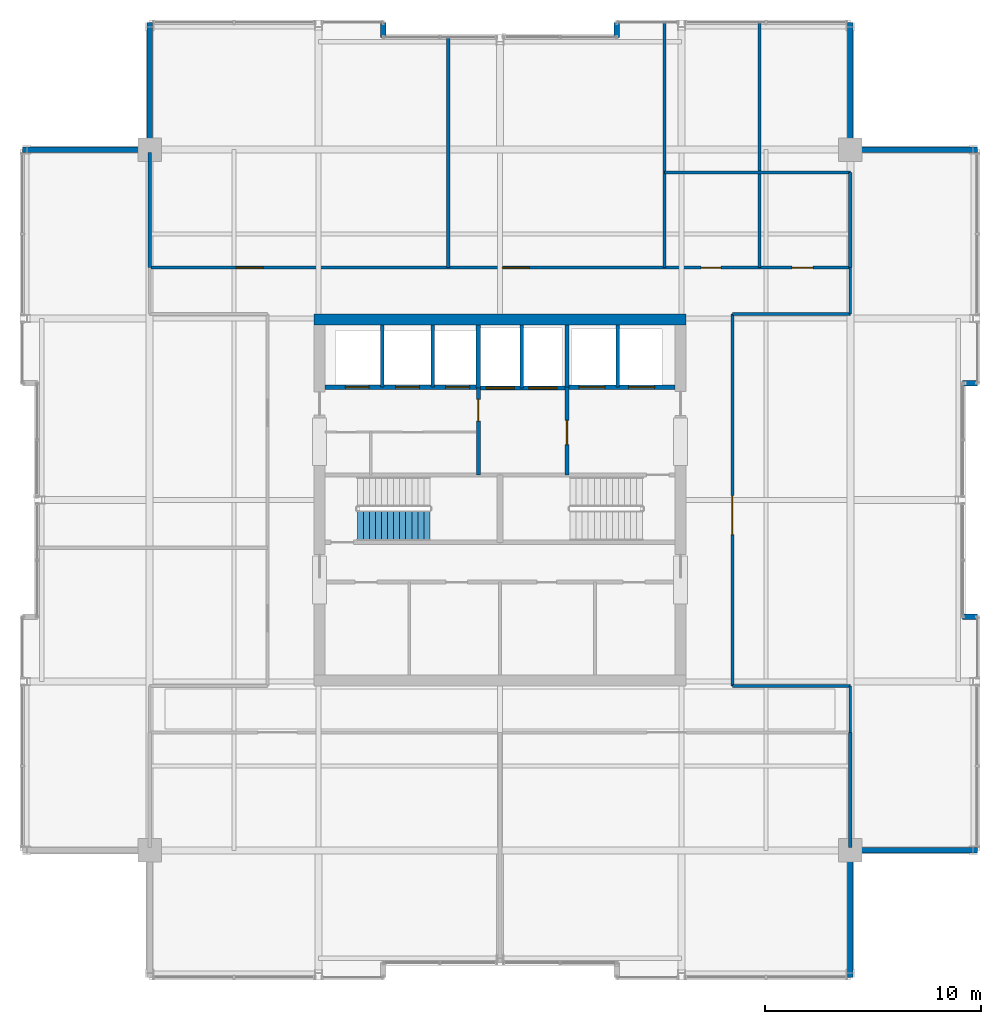
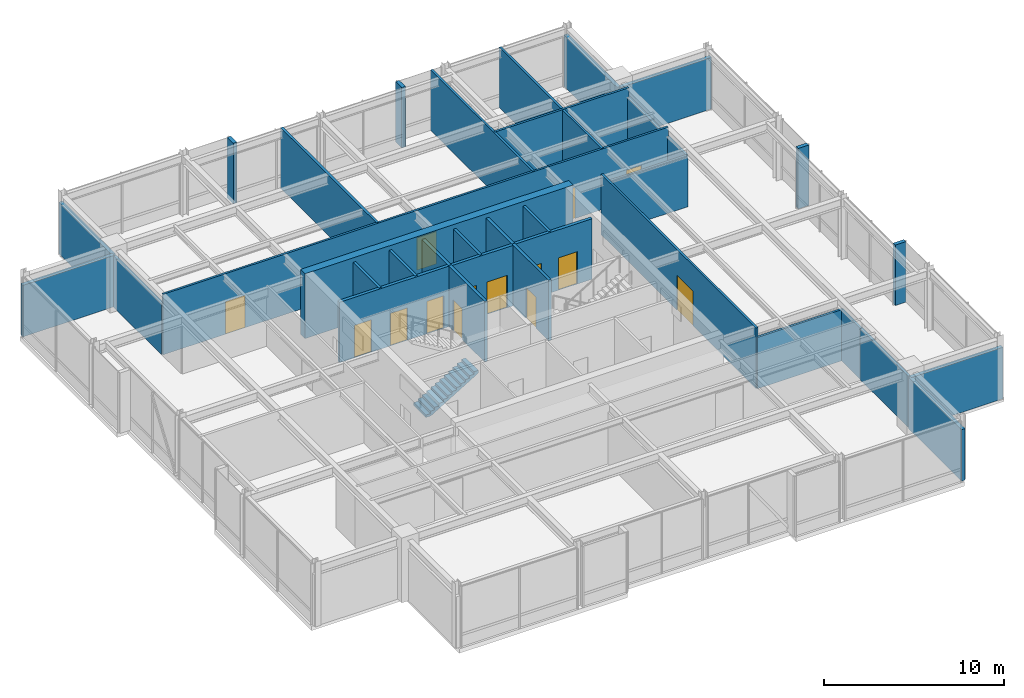
# One storey, part 30 of 34: 35 walls, 14 doors, 1 stair flight, 14 openings, 1 element without a shape of its own.
"""IFC4 building model written with IfcOpenShell, lengths in metres."""

from ifc_helpers import new_model, si_unit, direction, frame, frame_2d, origin, place, context, subcontext, project, spatial, polyline, rectangle, outline, extrude, material, layer, layer_set, type_object, element, fill, aggregate, save


model = new_model("IFC4")

# Units and contexts
model_context = context("Model", 3, precision=1e-05, world=origin(), true_north=direction((0.0, 1.0)))
body_context = subcontext(model_context, "Body", "Model", "MODEL_VIEW")
ifc_project = project(units=[si_unit("LENGTHUNIT", "METRE"), si_unit("AREAUNIT", "SQUARE_METRE"), si_unit("VOLUMEUNIT", "CUBIC_METRE"), si_unit("PLANEANGLEUNIT", "RADIAN"), si_unit("MASSUNIT", "GRAM", prefix="KILO")], contexts=[model_context])

# Site, building, storey
site_placement = place(None, origin())
site = spatial("IfcSite", under=ifc_project, at=site_placement, CompositionType="ELEMENT")
building_placement = place(site_placement, origin())
building = spatial("IfcBuilding", under=site, at=building_placement, Name="Drelvath Grand Hotel", CompositionType="ELEMENT")
storey_placement = place(building_placement, frame((0.0, 0.0, 294.199951171875)))
storey = spatial("IfcBuildingStorey", under=building, at=storey_placement, Name="L77", CompositionType="ELEMENT", Elevation=294.199951171875)

# Wall, openings, doors
ifc_material_1 = material(Name="Concrete C40/50", Category="concrete")
ifc_layer_1 = layer(ifc_material_1, 0.199951171875)
ifc_layer_set_1 = layer_set([ifc_layer_1], Name="Concrete C40/50")
wall_type_1 = type_object("IfcWallType", Name="Core Hoistway Fire Wall 200", PredefinedType="SOLIDWALL", material=ifc_layer_set_1)
wall_1_placement = place(storey_placement, frame((3.10009765625, 32.219970703125, 0.0), z_axis=(0.0, 0.0, 1.0), x_axis=(1.0, 0.0, 0.0)))
wall_1 = element("IfcWall", 1, at=wall_1_placement, inside=storey, type_object=wall_type_1, Name="L77 FSAE Hoistway Front Wall", PredefinedType="SOLIDWALL", context=body_context, shape_type="SweptSolid", body=[
    extrude(rectangle(XDim=5.0, YDim=0.199951171875, at=frame_2d((2.5, 0.0))), origin(), (0.0, 0.0, 1.0), 4.10009765625),
])
opening_1_placement = place(wall_1_placement, frame((0.550048828125, 0.0, 0.0)))
opening_1 = element("IfcOpeningElement", 2, at=opening_1_placement, cuts=wall_1, Name="Opening LD-FSAE-1", PredefinedType="OPENING", context=body_context, shape_type="SweptSolid", body=[
    extrude(rectangle(XDim=1.199951171875, YDim=2.199951171875, at=frame_2d((0.60009765625, 1.10009765625))), frame((0.0, 0.10986328125, 0.0), z_axis=(0.0, -1.0, 0.0), x_axis=(1.0, 0.0, 0.0)), (0.0, 0.0, 1.0), 0.219970703125),
])
opening_2_placement = place(wall_1_placement, frame((2.85009765625, 0.0, 0.0)))
opening_2 = element("IfcOpeningElement", 3, at=opening_2_placement, cuts=wall_1, Name="Opening LD-FSAE-2", PredefinedType="OPENING", context=body_context, shape_type="SweptSolid", body=[
    extrude(rectangle(XDim=1.199951171875, YDim=2.199951171875, at=frame_2d((0.60009765625, 1.10009765625))), frame((0.0, 0.10986328125, 0.0), z_axis=(0.0, -1.0, 0.0), x_axis=(1.0, 0.0, 0.0)), (0.0, 0.0, 1.0), 0.219970703125),
])
ifc_material_2 = material(Name="Stainless Steel S355", Category="steel")
door_type_1 = type_object("IfcDoorType", Name="FSAE Lift Sliding Landing Door 1200x2200", OperationType="NOTDEFINED", PredefinedType="DOOR", material=ifc_material_2)
door_1_placement = place(opening_1_placement, origin())
door_1 = element("IfcDoor", 4, at=door_1_placement, inside=storey, type_object=door_type_1, Name="L77 Lift FSAE-1 Landing Door", OperationType="SLIDING_TO_LEFT", OverallHeight=2.199951171875, OverallWidth=1.199951171875, PredefinedType="DOOR", context=body_context, shape_type="SweptSolid", body=[
    extrude(rectangle(XDim=1.199951171875, YDim=2.199951171875, at=frame_2d((0.60009765625, 1.10009765625))), frame((0.0, 0.02490234375, 0.0), z_axis=(0.0, -1.0, 0.0), x_axis=(1.0, 0.0, 0.0)), (0.0, 0.0, 1.0), 0.050048828125),
])
fill(opening_1, door_1)
door_2_placement = place(opening_2_placement, origin())
door_2 = element("IfcDoor", 5, at=door_2_placement, inside=storey, type_object=door_type_1, Name="L77 Lift FSAE-2 Landing Door", OperationType="SLIDING_TO_LEFT", OverallHeight=2.199951171875, OverallWidth=1.199951171875, PredefinedType="DOOR", context=body_context, shape_type="SweptSolid", body=[
    extrude(rectangle(XDim=1.199951171875, YDim=2.199951171875, at=frame_2d((0.60009765625, 1.10009765625))), frame((0.0, 0.02490234375, 0.0), z_axis=(0.0, -1.0, 0.0), x_axis=(1.0, 0.0, 0.0)), (0.0, 0.0, 1.0), 0.050048828125),
])
fill(opening_2, door_2)

# Wall
wall_2_placement = place(storey_placement, frame((3.10009765625, 32.219970703125, 0.0), z_axis=(0.0, 0.0, 1.0), x_axis=(0.0, 1.0, 0.0)))
element("IfcWall", 6, at=wall_2_placement, inside=storey, type_object=wall_type_1, Name="L77 FSAE Hoistway West Wall", PredefinedType="SOLIDWALL", context=body_context, shape_type="SweptSolid", body=[
    extrude(rectangle(XDim=2.880126953125, YDim=0.199951171875, at=frame_2d((1.43994140625, 0.0))), origin(), (0.0, 0.0, 1.0), 4.10009765625),
])

# Wall, openings, doors
wall_3_placement = place(storey_placement, frame((-1.0, 32.179931640625, 0.0), z_axis=(0.0, 0.0, 1.0), x_axis=(1.0, 0.0, 0.0)))
wall_3 = element("IfcWall", 7, at=wall_3_placement, inside=storey, type_object=wall_type_1, Name="L77 Service Lift Hoistway Wall", PredefinedType="SOLIDWALL", context=body_context, shape_type="SweptSolid", body=[
    extrude(rectangle(XDim=4.10009765625, YDim=0.199951171875, at=frame_2d((2.050048828125, 0.0))), origin(), (0.0, 0.0, 1.0), 4.10009765625),
])
opening_3_placement = place(wall_3_placement, frame((0.3701171875, 0.0, 0.0)))
opening_3 = element("IfcOpeningElement", 8, at=opening_3_placement, cuts=wall_3, Name="Opening LD-SV-2", PredefinedType="OPENING", context=body_context, shape_type="SweptSolid", body=[
    extrude(rectangle(XDim=1.300048828125, YDim=2.199951171875, at=frame_2d((0.64990234375, 1.10009765625))), frame((0.0, 0.10986328125, 0.0), z_axis=(0.0, -1.0, 0.0), x_axis=(1.0, 0.0, 0.0)), (0.0, 0.0, 1.0), 0.219970703125),
])
opening_4_placement = place(wall_3_placement, frame((2.330078125, 0.0, 0.0)))
opening_4 = element("IfcOpeningElement", 9, at=opening_4_placement, cuts=wall_3, Name="Opening LD-SV-1", PredefinedType="OPENING", context=body_context, shape_type="SweptSolid", body=[
    extrude(rectangle(XDim=1.300048828125, YDim=2.199951171875, at=frame_2d((0.64990234375, 1.10009765625))), frame((0.0, 0.10986328125, 0.0), z_axis=(0.0, -1.0, 0.0), x_axis=(1.0, 0.0, 0.0)), (0.0, 0.0, 1.0), 0.219970703125),
])
door_type_2 = type_object("IfcDoorType", Name="Service Lift Sliding Landing Door 1300x2200", OperationType="NOTDEFINED", PredefinedType="DOOR", material=ifc_material_2)
door_3_placement = place(opening_3_placement, origin())
door_3 = element("IfcDoor", 10, at=door_3_placement, inside=storey, type_object=door_type_2, Name="L77 Lift SV-2 Landing Door", OperationType="SLIDING_TO_LEFT", OverallHeight=2.199951171875, OverallWidth=1.300048828125, PredefinedType="DOOR", context=body_context, shape_type="SweptSolid", body=[
    extrude(rectangle(XDim=1.300048828125, YDim=2.199951171875, at=frame_2d((0.64990234375, 1.10009765625))), frame((0.0, 0.02490234375, 0.0), z_axis=(0.0, -1.0, 0.0), x_axis=(1.0, 0.0, 0.0)), (0.0, 0.0, 1.0), 0.050048828125),
])
fill(opening_3, door_3)
door_4_placement = place(opening_4_placement, origin())
door_4 = element("IfcDoor", 11, at=door_4_placement, inside=storey, type_object=door_type_2, Name="L77 Lift SV-1 Landing Door", OperationType="SLIDING_TO_LEFT", OverallHeight=2.199951171875, OverallWidth=1.300048828125, PredefinedType="DOOR", context=body_context, shape_type="SweptSolid", body=[
    extrude(rectangle(XDim=1.300048828125, YDim=2.199951171875, at=frame_2d((0.64990234375, 1.10009765625))), frame((0.0, 0.02490234375, 0.0), z_axis=(0.0, -1.0, 0.0), x_axis=(1.0, 0.0, 0.0)), (0.0, 0.0, 1.0), 0.050048828125),
])
fill(opening_4, door_4)

# Wall
wall_4_placement = place(storey_placement, frame((-1.0, 32.179931640625, 0.0), z_axis=(0.0, 0.0, 1.0), x_axis=(0.0, 1.0, 0.0)))
element("IfcWall", 12, at=wall_4_placement, inside=storey, type_object=wall_type_1, Name="L77 Service Lift West Wall", PredefinedType="SOLIDWALL", context=body_context, shape_type="SweptSolid", body=[
    extrude(rectangle(XDim=2.920166015625, YDim=0.199951171875, at=frame_2d((1.4599609375, 0.0))), origin(), (0.0, 0.0, 1.0), 4.10009765625),
])

# Wall, openings, doors
wall_5_placement = place(storey_placement, frame((-8.10009765625, 32.219970703125, 0.0), z_axis=(0.0, 0.0, 1.0), x_axis=(1.0, 0.0, 0.0)))
wall_5 = element("IfcWall", 13, at=wall_5_placement, inside=storey, type_object=wall_type_1, Name="L77 Bank 3 Hoistway Wall", PredefinedType="SOLIDWALL", context=body_context, shape_type="SweptSolid", body=[
    extrude(rectangle(XDim=7.10009765625, YDim=0.199951171875, at=frame_2d((3.550048828125, 0.0))), origin(), (0.0, 0.0, 1.0), 4.10009765625),
])
opening_5_placement = place(wall_5_placement, frame((0.949951171875, 0.0, 0.0)))
opening_5 = element("IfcOpeningElement", 14, at=opening_5_placement, cuts=wall_5, Name="Opening LD-PE-7", PredefinedType="OPENING", context=body_context, shape_type="SweptSolid", body=[
    extrude(rectangle(XDim=1.10009765625, YDim=2.199951171875, at=frame_2d((0.550048828125, 1.10009765625))), frame((0.0, 0.10986328125, 0.0), z_axis=(0.0, -1.0, 0.0), x_axis=(1.0, 0.0, 0.0)), (0.0, 0.0, 1.0), 0.219970703125),
])
opening_6_placement = place(wall_5_placement, frame((3.27001953125, 0.0, 0.0)))
opening_6 = element("IfcOpeningElement", 15, at=opening_6_placement, cuts=wall_5, Name="Opening LD-PE-8", PredefinedType="OPENING", context=body_context, shape_type="SweptSolid", body=[
    extrude(rectangle(XDim=1.10009765625, YDim=2.199951171875, at=frame_2d((0.550048828125, 1.10009765625))), frame((0.0, 0.10986328125, 0.0), z_axis=(0.0, -1.0, 0.0), x_axis=(1.0, 0.0, 0.0)), (0.0, 0.0, 1.0), 0.219970703125),
])
opening_7_placement = place(wall_5_placement, frame((5.590087890625, 0.0, 0.0)))
opening_7 = element("IfcOpeningElement", 16, at=opening_7_placement, cuts=wall_5, Name="Opening LD-PE-9", PredefinedType="OPENING", context=body_context, shape_type="SweptSolid", body=[
    extrude(rectangle(XDim=1.10009765625, YDim=2.199951171875, at=frame_2d((0.550048828125, 1.10009765625))), frame((0.0, 0.10986328125, 0.0), z_axis=(0.0, -1.0, 0.0), x_axis=(1.0, 0.0, 0.0)), (0.0, 0.0, 1.0), 0.219970703125),
])
door_type_3 = type_object("IfcDoorType", Name="Passenger Lift Sliding Landing Door 1100x2200", OperationType="NOTDEFINED", PredefinedType="DOOR", material=ifc_material_2)
door_5_placement = place(opening_5_placement, origin())
door_5 = element("IfcDoor", 17, at=door_5_placement, inside=storey, type_object=door_type_3, Name="L77 Lift PE-7 Landing Door", OperationType="SLIDING_TO_LEFT", OverallHeight=2.199951171875, OverallWidth=1.10009765625, PredefinedType="DOOR", context=body_context, shape_type="SweptSolid", body=[
    extrude(rectangle(XDim=1.10009765625, YDim=2.199951171875, at=frame_2d((0.550048828125, 1.10009765625))), frame((0.0, 0.02490234375, 0.0), z_axis=(0.0, -1.0, 0.0), x_axis=(1.0, 0.0, 0.0)), (0.0, 0.0, 1.0), 0.050048828125),
])
fill(opening_5, door_5)
door_6_placement = place(opening_6_placement, origin())
door_6 = element("IfcDoor", 18, at=door_6_placement, inside=storey, type_object=door_type_3, Name="L77 Lift PE-8 Landing Door", OperationType="SLIDING_TO_LEFT", OverallHeight=2.199951171875, OverallWidth=1.10009765625, PredefinedType="DOOR", context=body_context, shape_type="SweptSolid", body=[
    extrude(rectangle(XDim=1.10009765625, YDim=2.199951171875, at=frame_2d((0.550048828125, 1.10009765625))), frame((0.0, 0.02490234375, 0.0), z_axis=(0.0, -1.0, 0.0), x_axis=(1.0, 0.0, 0.0)), (0.0, 0.0, 1.0), 0.050048828125),
])
fill(opening_6, door_6)
door_7_placement = place(opening_7_placement, origin())
door_7 = element("IfcDoor", 19, at=door_7_placement, inside=storey, type_object=door_type_3, Name="L77 Lift PE-9 Landing Door", OperationType="SLIDING_TO_LEFT", OverallHeight=2.199951171875, OverallWidth=1.10009765625, PredefinedType="DOOR", context=body_context, shape_type="SweptSolid", body=[
    extrude(rectangle(XDim=1.10009765625, YDim=2.199951171875, at=frame_2d((0.550048828125, 1.10009765625))), frame((0.0, 0.02490234375, 0.0), z_axis=(0.0, -1.0, 0.0), x_axis=(1.0, 0.0, 0.0)), (0.0, 0.0, 1.0), 0.050048828125),
])
fill(opening_7, door_7)

# Walls
ifc_material_3 = material(Name="Gypsum Fireboard Partition")
ifc_layer_2 = layer(ifc_material_3, 0.1650390625)
ifc_layer_set_2 = layer_set([ifc_layer_2], Name="Gypsum Fireboard Partition")
wall_type_2 = type_object("IfcWallType", Name="Core Shaft Partition 165", PredefinedType="PARTITIONING", material=ifc_layer_set_2)
wall_6_placement = place(storey_placement, frame((5.449951171875, 32.219970703125, 0.0), z_axis=(0.0, 0.0, 1.0), x_axis=(0.0, 1.0, 0.0)))
element("IfcWall", 20, at=wall_6_placement, inside=storey, type_object=wall_type_2, Name="L77 FSAE Hoistway Divider", PredefinedType="PARTITIONING", context=body_context, shape_type="SweptSolid", body=[
    extrude(rectangle(XDim=2.880126953125, YDim=0.1650390625, at=frame_2d((1.43994140625, 0.0))), origin(), (0.0, 0.0, 1.0), 4.10009765625),
])
wall_7_placement = place(storey_placement, frame((1.0, 32.179931640625, 0.0), z_axis=(0.0, 0.0, 1.0), x_axis=(0.0, 1.0, 0.0)))
element("IfcWall", 21, at=wall_7_placement, inside=storey, type_object=wall_type_2, Name="L77 Service Lift Divider", PredefinedType="PARTITIONING", context=body_context, shape_type="SweptSolid", body=[
    extrude(rectangle(XDim=2.920166015625, YDim=0.1650390625, at=frame_2d((1.4599609375, 0.0))), origin(), (0.0, 0.0, 1.0), 4.10009765625),
])
for number, where, z_axis, x_axis, name in (
    (22, (-5.43994140625, 32.219970703125, 0.0), (0.0, 0.0, 1.0), (0.0, 1.0, 0.0), "L77 Lift PE-7/8 Divider"),
    (23, (-3.1201171875, 32.219970703125, 0.0), (0.0, 0.0, 1.0), (0.0, 1.0, 0.0), "L77 Lift PE-8/9 Divider"),
):
    element("IfcWall", number, at=place(storey_placement, frame(where, z_axis=z_axis, x_axis=x_axis)), inside=storey, type_object=wall_type_2, Name=name, PredefinedType="PARTITIONING", context=body_context, shape_type="SweptSolid", body=[
        extrude(rectangle(XDim=2.880126953125, YDim=0.1650390625, at=frame_2d((1.43994140625, 0.0))), origin(), (0.0, 0.0, 1.0), 4.10009765625),
    ])

# Wall, openings, doors
ifc_layer_3 = layer(ifc_material_3, 0.135009765625)
ifc_layer_set_3 = layer_set([ifc_layer_3], Name="Gypsum Fireboard Partition")
wall_type_3 = type_object("IfcWallType", Name="Corridor Fire Barrier Wall 135", PredefinedType="PARTITIONING", material=ifc_layer_set_3)
wall_8_placement = place(storey_placement, frame((-16.199951171875, 37.75, 0.0), z_axis=(0.0, 0.0, 1.0), x_axis=(1.0, 0.0, 0.0)))
wall_8 = element("IfcWall", 24, at=wall_8_placement, inside=storey, type_object=wall_type_3, Name="L77 Sky North Foyer Wall", PredefinedType="PARTITIONING", context=body_context, shape_type="SweptSolid", body=[
    extrude(rectangle(XDim=32.39990234375, YDim=0.135009765625, at=frame_2d((16.199951171875, 0.0))), origin(), (0.0, 0.0, 1.0), 4.10009765625),
])
opening_8_placement = place(wall_8_placement, frame((4.0, 0.0, 0.0)))
opening_8 = element("IfcOpeningElement", 25, at=opening_8_placement, cuts=wall_8, Name="Opening D-L77-024", PredefinedType="OPENING", context=body_context, shape_type="SweptSolid", body=[
    extrude(rectangle(XDim=1.260009765625, YDim=2.199951171875, at=frame_2d((0.6298828125, 1.10009765625))), frame((0.0, 0.077392578125, 0.0), z_axis=(0.0, -1.0, 0.0), x_axis=(1.0, 0.0, 0.0)), (0.0, 0.0, 1.0), 0.155029296875),
])
opening_9_placement = place(wall_8_placement, frame((16.300048828125, 0.0, 0.0)))
opening_9 = element("IfcOpeningElement", 26, at=opening_9_placement, cuts=wall_8, Name="Opening D-L77-025", PredefinedType="OPENING", context=body_context, shape_type="SweptSolid", body=[
    extrude(rectangle(XDim=1.260009765625, YDim=2.199951171875, at=frame_2d((0.6298828125, 1.10009765625))), frame((0.0, 0.077392578125, 0.0), z_axis=(0.0, -1.0, 0.0), x_axis=(1.0, 0.0, 0.0)), (0.0, 0.0, 1.0), 0.155029296875),
])
opening_10_placement = place(wall_8_placement, frame((25.5, 0.0, 0.0)))
opening_10 = element("IfcOpeningElement", 27, at=opening_10_placement, cuts=wall_8, Name="Opening D-L77-026", PredefinedType="OPENING", context=body_context, shape_type="SweptSolid", body=[
    extrude(rectangle(XDim=0.919921875, YDim=2.10009765625, at=frame_2d((0.4599609375, 1.050048828125))), frame((0.0, 0.077392578125, 0.0), z_axis=(0.0, -1.0, 0.0), x_axis=(1.0, 0.0, 0.0)), (0.0, 0.0, 1.0), 0.155029296875),
])
opening_11_placement = place(wall_8_placement, frame((29.699951171875, 0.0, 0.0)))
opening_11 = element("IfcOpeningElement", 28, at=opening_11_placement, cuts=wall_8, Name="Opening D-L77-027", PredefinedType="OPENING", context=body_context, shape_type="SweptSolid", body=[
    extrude(rectangle(XDim=0.97998046875, YDim=2.10009765625, at=frame_2d((0.489990234375, 1.050048828125))), frame((0.0, 0.077392578125, 0.0), z_axis=(0.0, -1.0, 0.0), x_axis=(1.0, 0.0, 0.0)), (0.0, 0.0, 1.0), 0.155029296875),
])
ifc_material_4 = material(Name="Hardwood Walnut Timber", Category="wood")
door_type_4 = type_object("IfcDoorType", Name="Accessible WC Door 980x2100", OperationType="NOTDEFINED", PredefinedType="DOOR", material=ifc_material_4)
door_8_placement = place(opening_11_placement, origin())
door_8 = element("IfcDoor", 29, at=door_8_placement, inside=storey, type_object=door_type_4, Name="L77 Sky Accessible WC Door", OperationType="SINGLE_SWING_RIGHT", OverallHeight=2.10009765625, OverallWidth=0.97998046875, PredefinedType="DOOR", context=body_context, shape_type="SweptSolid", body=[
    extrude(rectangle(XDim=0.97998046875, YDim=2.10009765625, at=frame_2d((0.489990234375, 1.050048828125))), frame((0.0, 0.02490234375, 0.0), z_axis=(0.0, -1.0, 0.0), x_axis=(1.0, 0.0, 0.0)), (0.0, 0.0, 1.0), 0.050048828125),
])
fill(opening_11, door_8)
ifc_material_5 = material(Name="Painted Steel S275", Category="steel")
door_type_5 = type_object("IfcDoorType", Name="Staff Utility Door 920x2100", OperationType="NOTDEFINED", PredefinedType="DOOR", material=ifc_material_5)
door_9_placement = place(opening_10_placement, origin())
door_9 = element("IfcDoor", 30, at=door_9_placement, inside=storey, type_object=door_type_5, Name="L77 Sky Public WC Door", OperationType="SINGLE_SWING_LEFT", OverallHeight=2.10009765625, OverallWidth=0.919921875, PredefinedType="DOOR", context=body_context, shape_type="SweptSolid", body=[
    extrude(rectangle(XDim=0.919921875, YDim=2.10009765625, at=frame_2d((0.4599609375, 1.050048828125))), frame((0.0, 0.02490234375, 0.0), z_axis=(0.0, -1.0, 0.0), x_axis=(1.0, 0.0, 0.0)), (0.0, 0.0, 1.0), 0.050048828125),
])
fill(opening_10, door_9)
door_type_6 = type_object("IfcDoorType", Name="Suite Entrance Fire Door 1260x2200", OperationType="NOTDEFINED", PredefinedType="DOOR", material=ifc_material_4)
door_10_placement = place(opening_8_placement, origin())
door_10 = element("IfcDoor", 31, at=door_10_placement, inside=storey, type_object=door_type_6, Name="L77 North Central Park Observatory Door", OperationType="SINGLE_SWING_LEFT", OverallHeight=2.199951171875, OverallWidth=1.260009765625, PredefinedType="DOOR", context=body_context, shape_type="SweptSolid", body=[
    extrude(rectangle(XDim=1.260009765625, YDim=2.199951171875, at=frame_2d((0.6298828125, 1.10009765625))), frame((0.0, 0.02490234375, 0.0), z_axis=(0.0, -1.0, 0.0), x_axis=(1.0, 0.0, 0.0)), (0.0, 0.0, 1.0), 0.050048828125),
])
fill(opening_8, door_10)
door_11_placement = place(opening_9_placement, origin())
door_11 = element("IfcDoor", 32, at=door_11_placement, inside=storey, type_object=door_type_6, Name="L77 Exhibition History Theatre Door", OperationType="SINGLE_SWING_RIGHT", OverallHeight=2.199951171875, OverallWidth=1.260009765625, PredefinedType="DOOR", context=body_context, shape_type="SweptSolid", body=[
    extrude(rectangle(XDim=1.260009765625, YDim=2.199951171875, at=frame_2d((0.6298828125, 1.10009765625))), frame((0.0, 0.02490234375, 0.0), z_axis=(0.0, -1.0, 0.0), x_axis=(1.0, 0.0, 0.0)), (0.0, 0.0, 1.0), 0.050048828125),
])
fill(opening_9, door_11)

# Walls
for number, where, z_axis, x_axis, name in (
    (33, (10.75, 18.39990234375, 0.0), (0.0, 0.0, 1.0), (1.0, 0.0, 0.0), "L77 Sky SE Spur Inner Wall"),
    (34, (10.75, 35.60009765625, 0.0), (0.0, 0.0, 1.0), (1.0, 0.0, 0.0), "L77 Sky NE Spur Inner Wall"),
):
    element("IfcWall", number, at=place(storey_placement, frame(where, z_axis=z_axis, x_axis=x_axis)), inside=storey, type_object=wall_type_3, Name=name, PredefinedType="PARTITIONING", context=body_context, shape_type="SweptSolid", body=[
        extrude(rectangle(XDim=5.449951171875, YDim=0.135009765625, at=frame_2d((2.72509765625, 0.0))), origin(), (0.0, 0.0, 1.0), 3.4775390625),
    ])

# Wall, opening, door
wall_9_placement = place(storey_placement, frame((10.75, 18.39990234375, 0.0), z_axis=(0.0, 0.0, 1.0), x_axis=(0.0, 1.0, 0.0)))
wall_9 = element("IfcWall", 35, at=wall_9_placement, inside=storey, type_object=wall_type_3, Name="L77 Sky East Foyer Wall", PredefinedType="PARTITIONING", context=body_context, shape_type="SweptSolid", body=[
    extrude(rectangle(XDim=17.2001953125, YDim=0.135009765625, at=frame_2d((8.60009765625, 0.0))), origin(), (0.0, 0.0, 1.0), 4.10009765625),
])
opening_12_placement = place(wall_9_placement, frame((7.0, 0.0, 0.0)))
opening_12 = element("IfcOpeningElement", 36, at=opening_12_placement, cuts=wall_9, Name="Opening D-L77-030", PredefinedType="OPENING", context=body_context, shape_type="SweptSolid", body=[
    extrude(rectangle(XDim=1.800048828125, YDim=2.35009765625, at=frame_2d((0.89990234375, 1.175048828125))), frame((0.0, 0.077392578125, 0.0), z_axis=(0.0, -1.0, 0.0), x_axis=(1.0, 0.0, 0.0)), (0.0, 0.0, 1.0), 0.155029296875),
])
ifc_material_6 = material(Name="Hardwood Bronze-Clad Timber", Category="wood")
door_type_7 = type_object("IfcDoorType", Name="Assembly Double Fire Door 1800x2350", OperationType="NOTDEFINED", PredefinedType="DOOR", material=ifc_material_6)
door_12_placement = place(opening_12_placement, origin())
door_12 = element("IfcDoor", 37, at=door_12_placement, inside=storey, type_object=door_type_7, Name="L77 East Panorama Lounge Door", OperationType="DOUBLE_DOOR_SINGLE_SWING", OverallHeight=2.35009765625, OverallWidth=1.800048828125, PredefinedType="DOOR", context=body_context, shape_type="SweptSolid", body=[
    extrude(rectangle(XDim=1.800048828125, YDim=2.35009765625, at=frame_2d((0.89990234375, 1.175048828125))), frame((0.0, 0.02490234375, 0.0), z_axis=(0.0, -1.0, 0.0), x_axis=(1.0, 0.0, 0.0)), (0.0, 0.0, 1.0), 0.050048828125),
])
fill(opening_12, door_12)

# Walls
for number, where, z_axis, x_axis, name in (
    (38, (16.199951171875, 16.25, 0.0), (0.0, 0.0, 1.0), (0.0, 1.0, 0.0), "L77 Sky South Foyer East End"),
    (39, (16.199951171875, 35.60009765625, 0.0), (0.0, 0.0, 1.0), (0.0, 1.0, 0.0), "L77 Sky North Foyer East End"),
):
    element("IfcWall", number, at=place(storey_placement, frame(where, z_axis=z_axis, x_axis=x_axis)), inside=storey, type_object=wall_type_3, Name=name, PredefinedType="PARTITIONING", context=body_context, shape_type="SweptSolid", body=[
        extrude(rectangle(XDim=2.14990234375, YDim=0.135009765625, at=frame_2d((1.074951171875, 0.0))), origin(), (0.0, 0.0, 1.0), 3.47412109375),
    ])
ifc_material_7 = material(Name="Moisture-Resistant Gypsum Board")
ifc_layer_4 = layer(ifc_material_7, 0.139892578125)
ifc_layer_set_4 = layer_set([ifc_layer_4], Name="Moisture-Resistant Gypsum Board")
wall_type_4 = type_object("IfcWallType", Name="En-Suite Plumbing Wall 140", PredefinedType="PLUMBINGWALL", material=ifc_layer_set_4)
for number, where, z_axis, x_axis, name in (
    (40, (7.60009765625, 37.75, 0.0), (0.0, 0.0, 1.0), (0.0, 1.0, 0.0), "L77 Sky WC West Wall"),
    (41, (12.0, 37.75, 0.0), (0.0, 0.0, 1.0), (0.0, 1.0, 0.0), "L77 Sky WC Split Wall"),
):
    element("IfcWall", number, at=place(storey_placement, frame(where, z_axis=z_axis, x_axis=x_axis)), inside=storey, type_object=wall_type_4, Name=name, PredefinedType="PLUMBINGWALL", context=body_context, shape_type="SweptSolid", body=[
        extrude(rectangle(XDim=11.330078125, YDim=0.139892578125, at=frame_2d((5.6650390625, 0.0))), origin(), (0.0, 0.0, 1.0), 4.10009765625),
    ])
wall_10_placement = place(storey_placement, frame((7.60009765625, 42.14990234375, 0.0), z_axis=(0.0, 0.0, 1.0), x_axis=(1.0, 0.0, 0.0)))
element("IfcWall", 42, at=wall_10_placement, inside=storey, type_object=wall_type_4, Name="L77 Sky WC Back Wall", PredefinedType="PLUMBINGWALL", context=body_context, shape_type="SweptSolid", body=[
    extrude(rectangle(XDim=8.599853515625, YDim=0.139892578125, at=frame_2d((4.2998046875, 0.0))), origin(), (0.0, 0.0, 1.0), 4.10009765625),
])

# Wall, opening, door
ifc_layer_5 = layer(ifc_material_3, 0.179931640625)
ifc_layer_set_5 = layer_set([ifc_layer_5], Name="Gypsum Fireboard Partition")
wall_type_5 = type_object("IfcWallType", Name="FSAE Smoke Lobby Fire Wall 180", PredefinedType="SOLIDWALL", material=ifc_layer_set_5)
wall_11_placement = place(storey_placement, frame((3.10009765625, 28.159912109375, 0.0), z_axis=(0.0, 0.0, 1.0), x_axis=(0.0, 1.0, 0.0)))
wall_11 = element("IfcWall", 43, at=wall_11_placement, inside=storey, type_object=wall_type_5, Name="L77 FSAE Smoke Lobby West Wall", PredefinedType="SOLIDWALL", context=body_context, shape_type="SweptSolid", body=[
    extrude(rectangle(XDim=4.06005859375, YDim=0.179931640625, at=frame_2d((2.030029296875, 0.0))), origin(), (0.0, 0.0, 1.0), 4.10009765625),
])
opening_13_placement = place(wall_11_placement, frame((1.39990234375, 0.0, 0.0)))
opening_13 = element("IfcOpeningElement", 44, at=opening_13_placement, cuts=wall_11, Name="Opening D-L77-005", PredefinedType="OPENING", context=body_context, shape_type="SweptSolid", body=[
    extrude(rectangle(XDim=1.1201171875, YDim=2.10009765625, at=frame_2d((0.56005859375, 1.050048828125))), frame((0.0, 0.099853515625, 0.0), z_axis=(0.0, -1.0, 0.0), x_axis=(1.0, 0.0, 0.0)), (0.0, 0.0, 1.0), 0.199951171875),
])
door_type_8 = type_object("IfcDoorType", Name="FSAE Smoke Lobby Fire Door 1120x2100", OperationType="NOTDEFINED", PredefinedType="DOOR", material=ifc_material_5)
door_13_placement = place(opening_13_placement, origin())
door_13 = element("IfcDoor", 45, at=door_13_placement, inside=storey, type_object=door_type_8, Name="L77 FSAE Lobby Service Vestibule Door", OperationType="SINGLE_SWING_RIGHT", OverallHeight=2.10009765625, OverallWidth=1.1201171875, PredefinedType="DOOR", context=body_context, shape_type="SweptSolid", body=[
    extrude(rectangle(XDim=1.1201171875, YDim=2.10009765625, at=frame_2d((0.56005859375, 1.050048828125))), frame((0.0, 0.02490234375, 0.0), z_axis=(0.0, -1.0, 0.0), x_axis=(1.0, 0.0, 0.0)), (0.0, 0.0, 1.0), 0.050048828125),
])
fill(opening_13, door_13)

wall_12_placement = place(storey_placement, frame((-1.0, 28.159912109375, 0.0), z_axis=(0.0, 0.0, 1.0), x_axis=(0.0, 1.0, 0.0)))
wall_12 = element("IfcWall", 46, at=wall_12_placement, inside=storey, type_object=wall_type_5, Name="L77 Service Vestibule West Wall", PredefinedType="SOLIDWALL", context=body_context, shape_type="SweptSolid", body=[
    extrude(rectangle(XDim=4.02001953125, YDim=0.179931640625, at=frame_2d((2.010009765625, 0.0))), origin(), (0.0, 0.0, 1.0), 4.10009765625),
])
opening_14_placement = place(wall_12_placement, frame((2.489990234375, 0.0, 0.0)))
opening_14 = element("IfcOpeningElement", 47, at=opening_14_placement, cuts=wall_12, Name="Opening D-L77-009", PredefinedType="OPENING", context=body_context, shape_type="SweptSolid", body=[
    extrude(rectangle(XDim=1.0, YDim=2.10009765625, at=frame_2d((0.5, 1.050048828125))), frame((0.0, 0.099853515625, 0.0), z_axis=(0.0, -1.0, 0.0), x_axis=(1.0, 0.0, 0.0)), (0.0, 0.0, 1.0), 0.199951171875),
])
door_type_9 = type_object("IfcDoorType", Name="Core Service Fire Door 1000x2100", OperationType="NOTDEFINED", PredefinedType="DOOR", material=ifc_material_5)
door_14_placement = place(opening_14_placement, origin())
door_14 = element("IfcDoor", 48, at=door_14_placement, inside=storey, type_object=door_type_9, Name="L77 Service Vestibule West Door", OperationType="SINGLE_SWING_LEFT", OverallHeight=2.10009765625, OverallWidth=1.0, PredefinedType="DOOR", context=body_context, shape_type="SweptSolid", body=[
    extrude(rectangle(XDim=1.0, YDim=2.10009765625, at=frame_2d((0.5, 1.050048828125))), frame((0.0, 0.02490234375, 0.0), z_axis=(0.0, -1.0, 0.0), x_axis=(1.0, 0.0, 0.0)), (0.0, 0.0, 1.0), 0.050048828125),
])
fill(opening_14, door_14)

# Walls
ifc_material_8 = material(Name="Gypsum Acoustic Partition")
ifc_layer_6 = layer(ifc_material_8, 0.1650390625)
ifc_layer_set_6 = layer_set([ifc_layer_6], Name="Gypsum Acoustic Partition")
wall_type_6 = type_object("IfcWallType", Name="Suite Demising Wall 165", PredefinedType="PARTITIONING", material=ifc_layer_set_6)
for number, where, z_axis, x_axis, name in (
    (49, (16.199951171875, 10.919921875, 0.0), (0.0, 0.0, 1.0), (0.0, 1.0, 0.0), "L77 Sky SE Wall"),
    (50, (-16.199951171875, 37.75, 0.0), (0.0, 0.0, 1.0), (0.0, 1.0, 0.0), "L77 Sky NW Wall"),
):
    element("IfcWall", number, at=place(storey_placement, frame(where, z_axis=z_axis, x_axis=x_axis)), inside=storey, type_object=wall_type_6, Name=name, PredefinedType="PARTITIONING", context=body_context, shape_type="SweptSolid", body=[
        extrude(rectangle(XDim=5.330078125, YDim=0.1650390625, at=frame_2d((2.6650390625, 0.0))), origin(), (0.0, 0.0, 1.0), 3.47412109375),
    ])
wall_13_placement = place(storey_placement, frame((16.199951171875, 37.75, 0.0), z_axis=(0.0, 0.0, 1.0), x_axis=(0.0, 1.0, 0.0)))
element("IfcWall", 51, at=wall_13_placement, inside=storey, type_object=wall_type_6, Name="L77 Sky NE Wall", PredefinedType="PARTITIONING", context=body_context, shape_type="SweptSolid", body=[
    extrude(rectangle(XDim=4.39990234375, YDim=0.1650390625, at=frame_2d((2.199951171875, 0.0))), origin(), (0.0, 0.0, 1.0), 3.47412109375),
])
wall_14_placement = place(storey_placement, frame((-2.39990234375, 37.75, 0.0), z_axis=(0.0, 0.0, 1.0), x_axis=(0.0, 1.0, 0.0)))
element("IfcWall", 52, at=wall_14_placement, inside=storey, type_object=wall_type_6, Name="L77 Sky North Split", PredefinedType="PARTITIONING", context=body_context, shape_type="SweptSolid", body=[
    extrude(rectangle(XDim=10.64990234375, YDim=0.1650390625, at=frame_2d((5.324951171875, 0.0))), origin(), (0.0, 0.0, 1.0), 4.10009765625),
])
ifc_material_9 = material(Name="Pale-Metal Insulated Aluminium Spandrel Assembly", Category="aluminium")
ifc_layer_7 = layer(ifc_material_9, 0.239990234375)
ifc_layer_set_7 = layer_set([ifc_layer_7], Name="Pale-Metal Insulated Aluminium Spandrel Assembly")
wall_type_7 = type_object("IfcWallType", Name="Tower Insulated Metal Spandrel Closure Wall 240", PredefinedType="STANDARD", material=ifc_layer_set_7)
for number, where, z_axis, x_axis, name in (
    (53, (-22.080078125, 43.199951171875, 0.0), (0.0, 0.0, 1.0), (1.0, 0.0, 0.0), "L77 Notched Corner Return Spandrel Wall CNW1"),
    (54, (-16.199951171875, 43.199951171875, 0.0), (0.0, 0.0, 1.0), (0.0, 1.0, 0.0), "L77 Notched Corner Return Spandrel Wall CNW2"),
    (55, (16.199951171875, 49.080078125, 0.0), (0.0, 0.0, 1.0), (0.0, -1.0, 0.0), "L77 Notched Corner Return Spandrel Wall CNE1"),
    (56, (16.199951171875, 43.199951171875, 0.0), (0.0, 0.0, 1.0), (1.0, 0.0, 0.0), "L77 Notched Corner Return Spandrel Wall CNE2"),
    (57, (22.080078125, 10.800048828125, 0.0), (0.0, 0.0, 1.0), (-1.0, 0.0, 0.0), "L77 Notched Corner Return Spandrel Wall CSE1"),
    (58, (16.199951171875, 10.800048828125, 0.0), (0.0, 0.0, 1.0), (0.0, -1.0, 0.0), "L77 Notched Corner Return Spandrel Wall CSE2"),
):
    element("IfcWall", number, at=place(storey_placement, frame(where, z_axis=z_axis, x_axis=x_axis)), inside=storey, type_object=wall_type_7, Name=name, PredefinedType="STANDARD", context=body_context, shape_type="SweptSolid", body=[
        extrude(rectangle(XDim=5.880126953125, YDim=0.239990234375, at=frame_2d((2.93994140625, 0.0))), origin(), (0.0, 0.0, 1.0), 3.489013671875),
    ])
for number, where, z_axis, x_axis, name in (
    (59, (22.080078125, 32.39990234375, 0.0), (0.0, 0.0, 1.0), (-1.0, 0.0, 0.0), "L77 Notched Corner Return Spandrel Wall RE1"),
    (60, (21.39990234375, 21.60009765625, 0.0), (0.0, 0.0, 1.0), (1.0, 0.0, 0.0), "L77 Notched Corner Return Spandrel Wall RE2"),
    (61, (-5.39990234375, 49.080078125, 0.0), (0.0, 0.0, 1.0), (0.0, -1.0, 0.0), "L77 Notched Corner Return Spandrel Wall RN1"),
    (62, (5.39990234375, 48.39990234375, 0.0), (0.0, 0.0, 1.0), (0.0, 1.0, 0.0), "L77 Notched Corner Return Spandrel Wall RN2"),
):
    element("IfcWall", number, at=place(storey_placement, frame(where, z_axis=z_axis, x_axis=x_axis)), inside=storey, type_object=wall_type_7, Name=name, PredefinedType="STANDARD", context=body_context, shape_type="SweptSolid", body=[
        extrude(rectangle(XDim=0.68017578125, YDim=0.239990234375, at=frame_2d((0.340087890625, 0.0))), origin(), (0.0, 0.0, 1.0), 4.10009765625),
    ])
ifc_material_10 = material(Name="Concrete f'c 55 MPa", Category="concrete")
ifc_layer_8 = layer(ifc_material_10, 0.5)
ifc_layer_set_8 = layer_set([ifc_layer_8], Name="Concrete f'c 55 MPa")
wall_type_8 = type_object("IfcWallType", Name="Upper Core RC Shear Wall 500", PredefinedType="SHEAR", material=ifc_layer_set_8)
wall_15_placement = place(storey_placement, frame((-8.60009765625, 35.35009765625, 0.0), z_axis=(0.0, 0.0, 1.0), x_axis=(1.0, 0.0, 0.0)))
element("IfcWall", 63, at=wall_15_placement, inside=storey, type_object=wall_type_8, Name="L77 Central Core Shear Wall N", PredefinedType="SHEAR", context=body_context, shape_type="SweptSolid", body=[
    extrude(rectangle(XDim=17.2001953125, YDim=0.5, at=frame_2d((8.60009765625, 0.0))), origin(), (0.0, 0.0, 1.0), 4.400146484375),
])

# Stair, stair flight
stair_type = type_object("IfcStairType", Name="Dogleg Exit Stair W1400-R169.2", PredefinedType="HALF_TURN_STAIR", material=ifc_material_1)
stair_placement = place(storey_placement, origin())
stair = element("IfcStair", 64, at=stair_placement, inside=storey, type_object=stair_type, Name="L77 Core Exit Stair ST-1", PredefinedType="HALF_TURN_STAIR")
stair_flight_type = type_object("IfcStairFlightType", Name="Concrete Stair Flight W1400-R169.2", PredefinedType="STRAIGHT", material=ifc_material_1)
stair_flight_placement = place(storey_placement, frame((-6.60009765625, 25.820068359375, 0.0), z_axis=(0.0, 0.0, 1.0), x_axis=(1.0, 0.0, 0.0)))
stair_flight = element("IfcStairFlight", 65, at=stair_flight_placement, type_object=stair_flight_type, Name="ST-1 flight 1", NumberOfRisers=13, NumberOfTreads=12, PredefinedType="STRAIGHT", RiserHeight=0.169230769, TreadLength=0.28, context=body_context, shape_type="SweptSolid", body=[
    extrude(outline(polyline([(0.0, 0.0), (0.0, 0.169189453125), (0.280029296875, 0.169189453125), (0.280029296875, 0.33837890625), (0.56005859375, 0.33837890625), (0.56005859375, 0.5078125), (0.840087890625, 0.5078125), (0.840087890625, 0.677001953125), (1.1201171875, 0.677001953125), (1.1201171875, 0.84619140625), (1.39990234375, 0.84619140625), (1.39990234375, 1.015380859375), (1.679931640625, 1.015380859375), (1.679931640625, 1.1845703125), (1.9599609375, 1.1845703125), (1.9599609375, 1.353759765625), (2.239990234375, 1.353759765625), (2.239990234375, 1.523193359375), (2.52001953125, 1.523193359375), (2.52001953125, 1.6923828125), (2.800048828125, 1.6923828125), (2.800048828125, 1.861572265625), (3.080078125, 1.861572265625), (3.080078125, 2.03076171875), (3.360107421875, 2.03076171875), (3.360107421875, 2.199951171875), (3.360107421875, 1.843994140625), (0.30908203125, 0.0), (0.0, 0.0)])), frame((0.0, 0.699951171875, 0.0), z_axis=(0.0, -1.0, 0.0), x_axis=(1.0, 0.0, 0.0)), (0.0, 0.0, 1.0), 1.39990234375),
])
aggregate(stair, [stair_flight])

save(model, "model.ifc")
